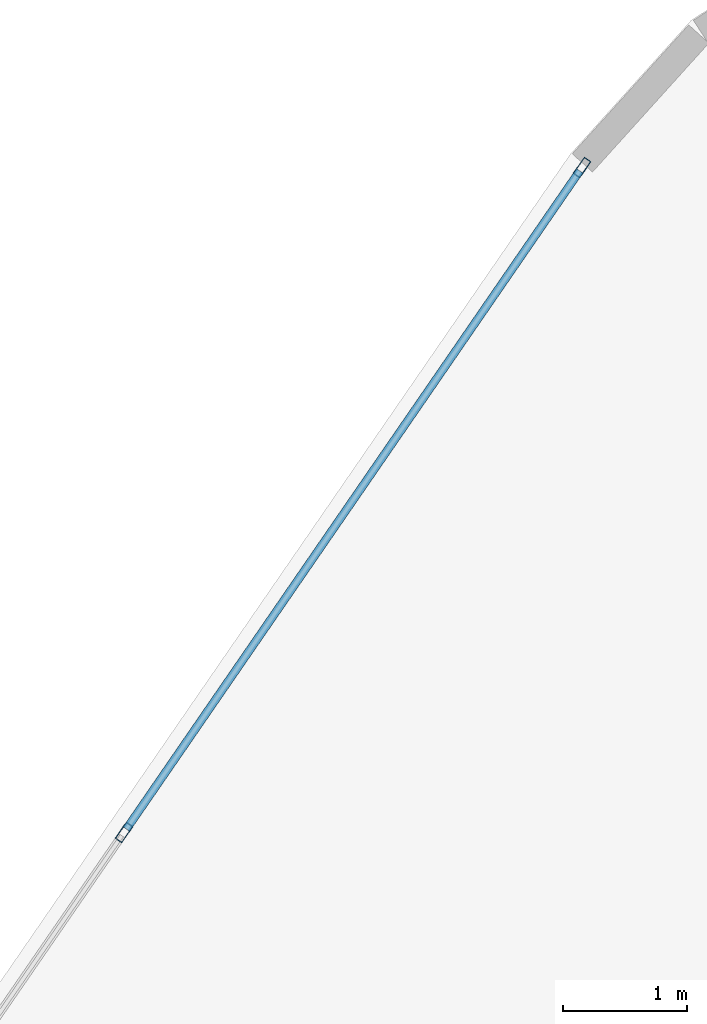
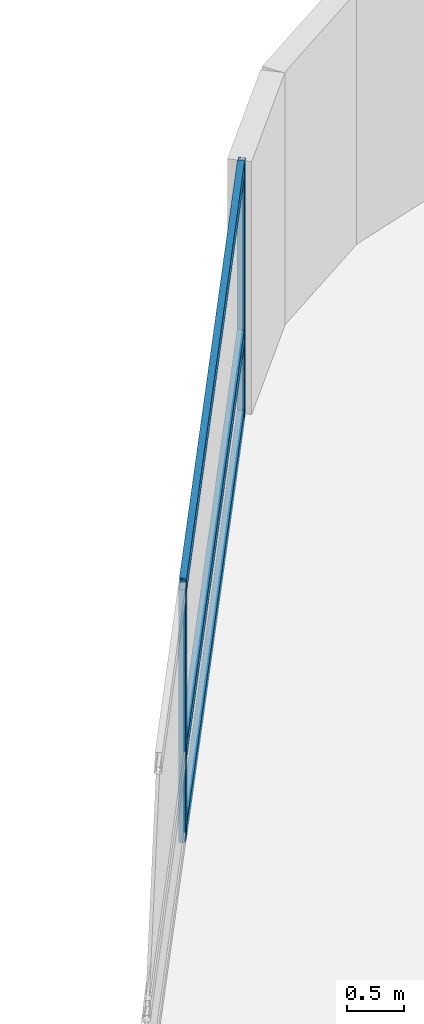
# One storey, part 15 of 25: 5 members, 1 element without a shape of its own.
"""IFC4 building model written with IfcOpenShell, lengths in metres."""

from ifc_helpers import new_model, si_unit, direction, frame, origin, origin_2d, place, context, subcontext, project, spatial, hollow_rectangle, extrude, material, layer, layer_set, material_profile, profile_set, type_object, element, aggregate, save


model = new_model("IFC4")

# Units and contexts
model_context = context("Model", 3, precision=1e-05, world=origin(), true_north=direction((0.0, 1.0)))
body_context = subcontext(model_context, "Body", "Model", "MODEL_VIEW")
ifc_project = project(units=[si_unit("LENGTHUNIT", "METRE"), si_unit("AREAUNIT", "SQUARE_METRE"), si_unit("VOLUMEUNIT", "CUBIC_METRE"), si_unit("PLANEANGLEUNIT", "RADIAN"), si_unit("MASSUNIT", "GRAM", prefix="KILO")], contexts=[model_context])

# Site, building, storey
site_placement = place(None, origin())
site = spatial("IfcSite", under=ifc_project, at=site_placement, CompositionType="ELEMENT")
building_placement = place(site_placement, origin())
building = spatial("IfcBuilding", under=site, at=building_placement, Name="Varnelok Gate Tower", CompositionType="ELEMENT")
storey_placement = place(building_placement, frame((0.0, 0.0, 49.199951171875)))
storey = spatial("IfcBuildingStorey", under=building, at=storey_placement, Name="L11", CompositionType="ELEMENT", Elevation=49.199951171875)

# Curtain wall, members
ifc_material = material(Name="Anodized Aluminum Alloy 6063-T6", Category="aluminium")
ifc_layer = layer(ifc_material, 0.179931640625)
ifc_layer_set = layer_set([ifc_layer], Name="Anodized Aluminum Alloy 6063-T6")
curtain_wall_type = type_object("IfcCurtainWallType", Name="CW3-HOTEL-VISION", PredefinedType="USERDEFINED", material=ifc_layer_set)
curtain_wall_placement = place(storey_placement, origin())
curtain_wall = element("IfcCurtainWall", 1, at=curtain_wall_placement, inside=storey, type_object=curtain_wall_type, Name="L11 West End Vision Curtain Wall", ObjectType="UNITISED CURTAIN WALL", PredefinedType="USERDEFINED")
ifc_material_profile_1 = material_profile(ifc_material, hollow_rectangle(XDim=0.06494140625, YDim=0.159912109375, WallThickness=0.00390625, at=origin_2d()), Name="ALU160X65X4")
ifc_profile_set_1 = profile_set([ifc_material_profile_1], Name="Anodized Aluminum Alloy 6063-T6")
member_type_1 = type_object("IfcMemberType", Name="CW-MULL-160", PredefinedType="MULLION", material=ifc_profile_set_1)
member_1_placement = place(storey_placement, frame((14.48291015625, 58.273193359375, 0.0), z_axis=(0.0, 0.0, 1.0), x_axis=(-0.823532685111, 0.567268822124, 0.0)))
member_1 = element("IfcMember", 2, at=member_1_placement, type_object=member_type_1, Name="CW3 mullion 6", PredefinedType="MULLION", context=body_context, shape_type="SweptSolid", body=[
    extrude(hollow_rectangle(XDim=0.06494140625, YDim=0.159912109375, WallThickness=0.00390625, at=origin_2d()), origin(), (0.0, 0.0, 1.0), 2.72998046875),
])
member_2_placement = place(storey_placement, frame((18.189453125, 63.654296875, 0.0), z_axis=(0.0, 0.0, 1.0), x_axis=(-0.823532685111, 0.567268822124, 0.0)))
member_2 = element("IfcMember", 3, at=member_2_placement, type_object=member_type_1, Name="CW3 mullion 7", PredefinedType="MULLION", context=body_context, shape_type="SweptSolid", body=[
    extrude(hollow_rectangle(XDim=0.06494140625, YDim=0.159912109375, WallThickness=0.00390625, at=origin_2d()), origin(), (0.0, 0.0, 1.0), 2.72998046875),
])
ifc_material_profile_2 = material_profile(ifc_material, hollow_rectangle(XDim=0.06494140625, YDim=0.159912109375, WallThickness=0.00390625, at=origin_2d()), Name="ALU160X65X4")
ifc_profile_set_2 = profile_set([ifc_material_profile_2], Name="Anodized Aluminum Alloy 6063-T6")
member_type_2 = type_object("IfcMemberType", Name="CW-TRAN-160", PredefinedType="USERDEFINED", material=ifc_profile_set_2)
member_3_placement = place(storey_placement, frame((14.50146484375, 58.300048828125, 0.032470703125), z_axis=(0.567255754851, 0.823541686006, 0.0), x_axis=(-0.823541686006, 0.567255754851, 0.0)))
member_3 = element("IfcMember", 4, at=member_3_placement, type_object=member_type_2, Name="CW3 transom 6.1", ObjectType="TRANSOM", PredefinedType="USERDEFINED", context=body_context, shape_type="SweptSolid", body=[
    extrude(hollow_rectangle(XDim=0.06494140625, YDim=0.159912109375, WallThickness=0.00390625, at=origin_2d()), origin(), (0.0, 0.0, 1.0), 6.46923828125),
])
member_4_placement = place(storey_placement, frame((14.50146484375, 58.300048828125, 0.900146484375), z_axis=(0.567255754851, 0.823541686006, 0.0), x_axis=(-0.823541686006, 0.567255754851, 0.0)))
member_4 = element("IfcMember", 5, at=member_4_placement, type_object=member_type_2, Name="CW3 transom 6.2", ObjectType="TRANSOM", PredefinedType="USERDEFINED", context=body_context, shape_type="SweptSolid", body=[
    extrude(hollow_rectangle(XDim=0.06494140625, YDim=0.159912109375, WallThickness=0.00390625, at=origin_2d()), origin(), (0.0, 0.0, 1.0), 6.46923828125),
])
member_5_placement = place(storey_placement, frame((14.50146484375, 58.300048828125, 2.697509765625), z_axis=(0.567255754851, 0.823541686006, 0.0), x_axis=(-0.823541686006, 0.567255754851, 0.0)))
member_5 = element("IfcMember", 6, at=member_5_placement, type_object=member_type_2, Name="CW3 transom 6.3", ObjectType="TRANSOM", PredefinedType="USERDEFINED", context=body_context, shape_type="SweptSolid", body=[
    extrude(hollow_rectangle(XDim=0.06494140625, YDim=0.159912109375, WallThickness=0.00390625, at=origin_2d()), origin(), (0.0, 0.0, 1.0), 6.46923828125),
])
aggregate(curtain_wall, [member_1, member_2, member_3, member_4, member_5])

save(model, "model.ifc")
